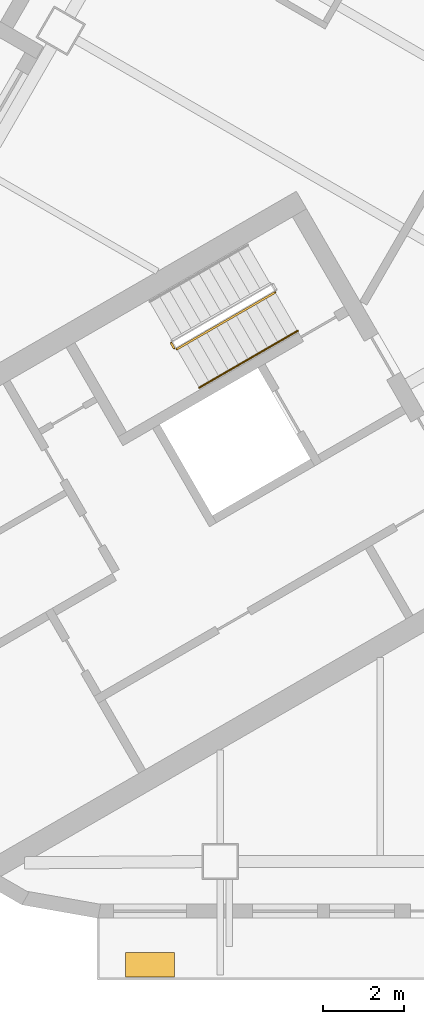
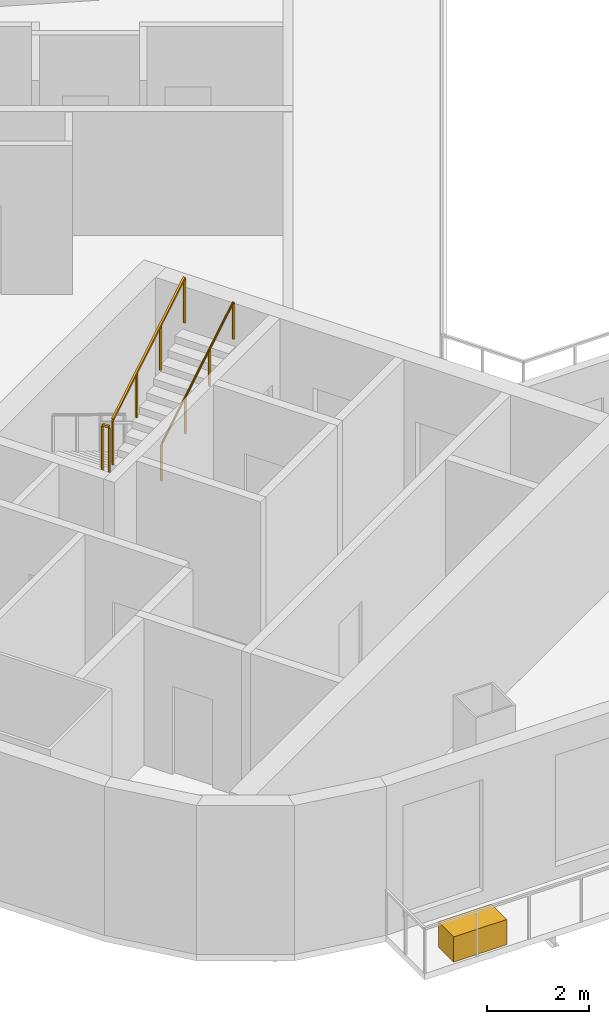
# One storey, part 9 of 14: 3 railings, 1 covering.
"""IFC4 building model written with IfcOpenShell, lengths in metres."""

from ifc_helpers import new_model, si_unit, direction, frame, origin, origin_2d, place, context, subcontext, project, spatial, rectangle, circle, extrude, material, type_object, element, save


model = new_model("IFC4")

# Units and contexts
model_context = context("Model", 3, precision=1e-05, world=origin(), true_north=direction((0.0, 1.0)))
body_context = subcontext(model_context, "Body", "Model", "MODEL_VIEW")
ifc_project = project(units=[si_unit("LENGTHUNIT", "METRE"), si_unit("AREAUNIT", "SQUARE_METRE"), si_unit("VOLUMEUNIT", "CUBIC_METRE"), si_unit("PLANEANGLEUNIT", "RADIAN"), si_unit("MASSUNIT", "GRAM", prefix="KILO")], contexts=[model_context])

# Site, building, storey
site_placement = place(None, origin())
site = spatial("IfcSite", under=ifc_project, at=site_placement, CompositionType="ELEMENT")
building_placement = place(site_placement, origin())
building = spatial("IfcBuilding", under=site, at=building_placement, Name="Apuvela Tower Hotel", CompositionType="ELEMENT")
storey_placement = place(building_placement, frame((0.0, 0.0, 116.800048828125)))
storey = spatial("IfcBuildingStorey", under=building, at=storey_placement, Name="L27", CompositionType="ELEMENT", Elevation=116.800048828125)

# Railings
ifc_material_1 = material(Name="Steel S275 balustrade", Category="steel")
railing_type_1 = type_object("IfcRailingType", Name="COR-GUARD-1100", PredefinedType="GUARDRAIL", material=ifc_material_1)
railing_1_placement = place(storey_placement, frame((-17.01220703125, -5.43408203125, 1.849853515625)))
element("IfcRailing", 1, at=railing_1_placement, inside=storey, type_object=railing_type_1, Name="L27 ST2 stair guard 2", PredefinedType="GUARDRAIL", context=body_context, shape_type="SweptSolid", body=[
    extrude(rectangle(XDim=0.048095703125, YDim=0.048095703125, at=origin_2d()), frame((0.0, 0.0, 1.076171875), z_axis=(0.499816412211, -0.866131372301, 0.0), x_axis=(0.866131372301, 0.499816412211, 0.0)), (0.0, 0.0, 1.0), 0.14990234375),
    extrude(rectangle(XDim=0.0419921875, YDim=0.0419921875, at=origin_2d()), origin(), (0.0, 0.0, 1.0), 1.052001953125),
    extrude(rectangle(XDim=0.0419921875, YDim=0.0419921875, at=origin_2d()), frame((0.074951171875, -0.1298828125, 0.0)), (0.0, 0.0, 1.0), 1.052001953125),
])
railing_2_placement = place(storey_placement, frame((-16.868896484375, -5.582275390625, 2.01806640625)))
element("IfcRailing", 2, at=railing_2_placement, inside=storey, type_object=railing_type_1, Name="L27 ST2 stair guard 3", PredefinedType="GUARDRAIL", context=body_context, shape_type="SweptSolid", body=[
    extrude(rectangle(XDim=0.048095703125, YDim=0.048095703125, at=origin_2d()), frame((0.0, 0.0, 1.076171875), z_axis=(0.742390482028, 0.42860119049, 0.514934356695), x_axis=(-0.49998411664, 0.866034573852, 0.0)), (0.0, 0.0, 1.0), 3.26611328125),
    extrude(rectangle(XDim=0.0419921875, YDim=0.0419921875, at=origin_2d()), origin(), (0.0, 0.0, 1.0), 1.052001953125),
    extrude(rectangle(XDim=0.0419921875, YDim=0.0419921875, at=origin_2d()), frame((0.808349609375, 0.466552734375, 0.560546875)), (0.0, 0.0, 1.0), 1.052001953125),
    extrude(rectangle(XDim=0.0419921875, YDim=0.0419921875, at=origin_2d()), frame((1.616455078125, 0.933349609375, 1.121337890625)), (0.0, 0.0, 1.0), 1.052001953125),
    extrude(rectangle(XDim=0.0419921875, YDim=0.0419921875, at=origin_2d()), frame((2.4248046875, 1.39990234375, 1.681884765625)), (0.0, 0.0, 1.0), 1.052001953125),
])
ifc_material_2 = material(Name="Stainless steel 316 handrail", Category="steel")
railing_type_2 = type_object("IfcRailingType", Name="COR-HANDRAIL-900", PredefinedType="HANDRAIL", material=ifc_material_2)
railing_3_placement = place(storey_placement, frame((-16.31884765625, -6.534912109375, 2.01806640625)))
element("IfcRailing", 3, at=railing_3_placement, inside=storey, type_object=railing_type_2, Name="L27 ST2 stair handrail 2", PredefinedType="HANDRAIL", context=body_context, shape_type="SweptSolid", body=[
    extrude(circle(Radius=0.02392578125, at=origin_2d()), frame((0.0, 0.0, 0.8759765625), z_axis=(0.742390482028, 0.42860119049, 0.514934356695), x_axis=(-0.49998411664, 0.866034573852, 0.0)), (0.0, 0.0, 1.0), 3.26611328125),
    extrude(rectangle(XDim=0.0419921875, YDim=0.0419921875, at=origin_2d()), origin(), (0.0, 0.0, 1.0), 0.851806640625),
    extrude(rectangle(XDim=0.0419921875, YDim=0.0419921875, at=origin_2d()), frame((0.808349609375, 0.466552734375, 0.560546875)), (0.0, 0.0, 1.0), 0.851806640625),
    extrude(rectangle(XDim=0.0419921875, YDim=0.0419921875, at=origin_2d()), frame((1.616455078125, 0.933349609375, 1.121337890625)), (0.0, 0.0, 1.0), 0.851806640625),
    extrude(rectangle(XDim=0.0419921875, YDim=0.0419921875, at=origin_2d()), frame((2.4248046875, 1.39990234375, 1.681884765625)), (0.0, 0.0, 1.0), 0.851806640625),
])

# Covering
ifc_material_3 = material(Name="Planting substrate and soil, planted")
covering_type = type_object("IfcCoveringType", Name="ENV-PLANTER-1200x600", PredefinedType="USERDEFINED", material=ifc_material_3)
covering_placement = place(storey_placement, frame((-17.53515625, -20.780029296875, 0.0), z_axis=(0.0, 0.0, 1.0), x_axis=(1.0, 0.0, 0.0)))
element("IfcCovering", 4, at=covering_placement, inside=storey, type_object=covering_type, Name="Planter S1", ObjectType="PLANTER", PredefinedType="USERDEFINED", context=body_context, shape_type="SweptSolid", body=[
    extrude(rectangle(XDim=1.199951171875, YDim=0.60009765625, at=origin_2d()), origin(), (0.0, 0.0, 1.0), 0.60009765625),
])

save(model, "model.ifc")
